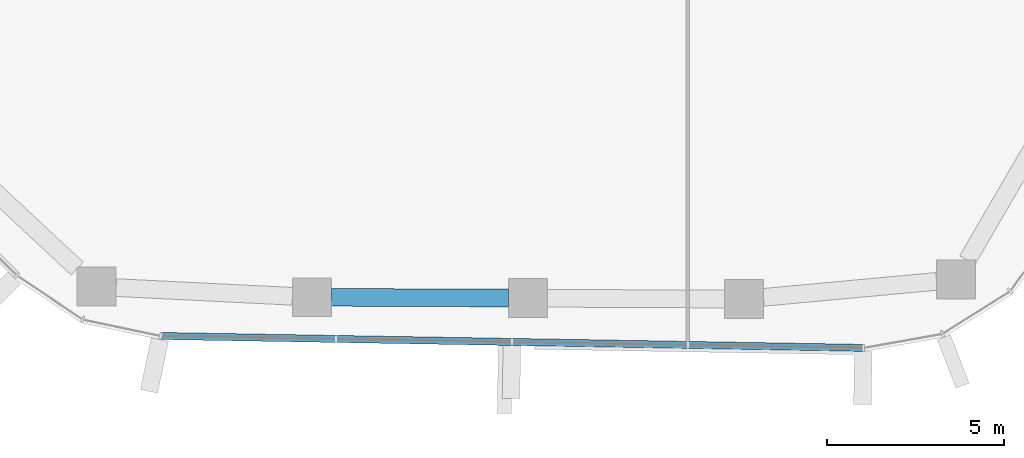
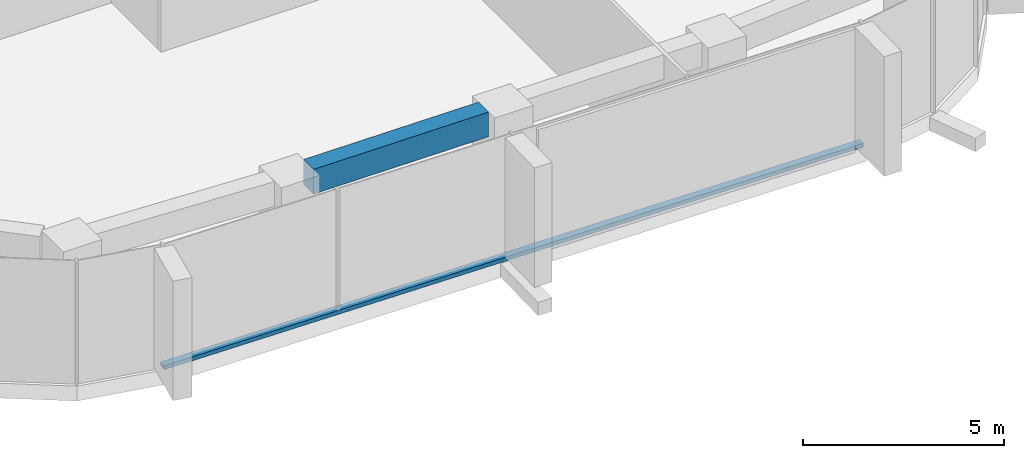
# One storey, part 3 of 22: 1 beam, 1 member, 1 element without a shape of its own.
"""IFC4 building model written with IfcOpenShell, lengths in metres."""

from ifc_helpers import new_model, si_unit, direction, frame, origin, origin_2d, place, context, subcontext, project, spatial, rectangle, extrude, material, layer, layer_set, material_profile, profile_set, type_object, element, aggregate, save


model = new_model("IFC4")

# Units and contexts
model_context = context("Model", 3, precision=1e-05, world=origin(), true_north=direction((0.0, 1.0)))
body_context = subcontext(model_context, "Body", "Model", "MODEL_VIEW")
ifc_project = project(units=[si_unit("LENGTHUNIT", "METRE"), si_unit("AREAUNIT", "SQUARE_METRE"), si_unit("VOLUMEUNIT", "CUBIC_METRE"), si_unit("PLANEANGLEUNIT", "RADIAN"), si_unit("MASSUNIT", "GRAM", prefix="KILO")], contexts=[model_context])

# Site, building, storey
site_placement = place(None, origin())
site = spatial("IfcSite", under=ifc_project, at=site_placement, CompositionType="ELEMENT")
building_placement = place(site_placement, origin())
building = spatial("IfcBuilding", under=site, at=building_placement, Name="Dongbaek Canopy Tower", CompositionType="ELEMENT")
storey_placement = place(building_placement, frame((0.0, 0.0, 237.0)))
storey = spatial("IfcBuildingStorey", under=building, at=storey_placement, Name="L49", CompositionType="ELEMENT", Elevation=237.0)

# Curtain wall, member
ifc_material_1 = material(Name="Aluminium 6063-T6 pale anodised", Category="aluminium")
ifc_layer = layer(ifc_material_1, 0.199951171875)
ifc_layer_set = layer_set([ifc_layer], Name="CW-1 unitised tower curtain wall")
curtain_wall_type = type_object("IfcCurtainWallType", Name="CW-1 unitised tower curtain wall", PredefinedType="NOTDEFINED", material=ifc_layer_set)
curtain_wall_placement = place(storey_placement, origin())
curtain_wall = element("IfcCurtainWall", 1, at=curtain_wall_placement, inside=storey, type_object=curtain_wall_type, Name="CW-1 curtain wall F4.1", PredefinedType="NOTDEFINED")
ifc_material_2 = material(Name="Aluminium 6063-T6 pale anodised", Category="aluminium")
ifc_material_profile_1 = material_profile(ifc_material_2, rectangle(XDim=0.199951171875, YDim=0.1201171875, at=origin_2d()), Name="CW-1 transom 120 x 200")
ifc_profile_set_1 = profile_set([ifc_material_profile_1], Name="Aluminium 6063-T6 pale anodised")
member_type = type_object("IfcMemberType", Name="CW-1 transom 120 x 200", PredefinedType="USERDEFINED", material=ifc_profile_set_1)
member_placement = place(storey_placement, frame((-8.8876953125, -25.34228515625, 0.06005859375), z_axis=(0.99985556053, -0.016995825298, 0.0), x_axis=(0.016995825298, 0.99985556053, 0.0)))
member = element("IfcMember", 2, at=member_placement, type_object=member_type, Name="CW-1 transom F4.1.1", ObjectType="TRANSOM", PredefinedType="USERDEFINED", context=body_context, shape_type="SweptSolid", body=[
    extrude(rectangle(XDim=0.199951171875, YDim=0.1201171875, at=origin_2d()), origin(), (0.0, 0.0, 1.0), 19.880859375),
])
aggregate(curtain_wall, [member])

# Beam
ifc_material_3 = material(Name="Concrete C70", Category="concrete")
ifc_material_profile_2 = material_profile(ifc_material_3, rectangle(XDim=0.5, YDim=0.75, at=origin_2d()), Name="RC EDGE BEAM 500x750 C70")
ifc_profile_set_2 = profile_set([ifc_material_profile_2], Name="Concrete C70")
beam_type = type_object("IfcBeamType", Name="RC EDGE BEAM 500x750 C70", PredefinedType="BEAM", material=ifc_profile_set_2)
beam_placement = place(storey_placement, frame((0.951904296875, -24.269775390625, 3.445068359375), z_axis=(-0.999990816155, 0.0042857445, 0.0), x_axis=(-0.0042857445, -0.999990816155, 0.0)))
element("IfcBeam", 3, at=beam_placement, inside=storey, type_object=beam_type, Name="EDGEBEAM:L49:02", PredefinedType="BEAM", context=body_context, shape_type="SweptSolid", body=[
    extrude(rectangle(XDim=0.5, YDim=0.75, at=origin_2d()), origin(), (0.0, 0.0, 1.0), 5.012939453125),
])

save(model, "model.ifc")
